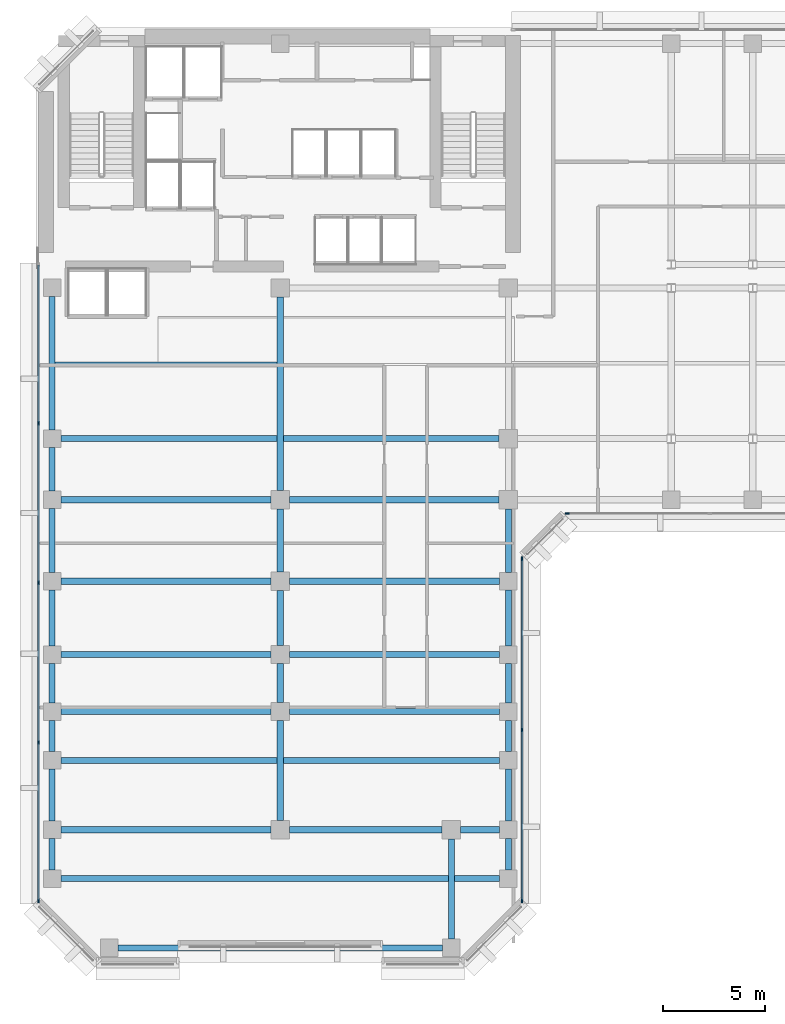
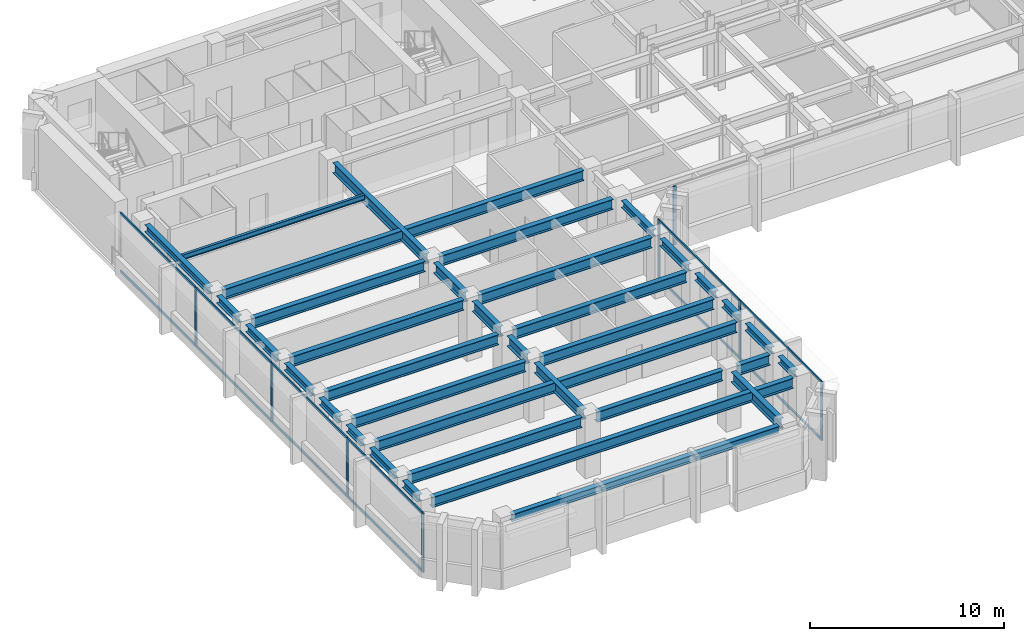
# One storey, part 2 of 11: 36 beams, 20 members, 3 elements without a shape of their own.
"""IFC4 building model written with IfcOpenShell, lengths in metres."""

from ifc_helpers import new_model, si_unit, direction, frame, origin, origin_2d, place, context, subcontext, project, spatial, rectangle, i_section, extrude, material, layer, layer_set, material_profile, profile_set, type_object, element, aggregate, save


model = new_model("IFC4")

# Units and contexts
model_context = context("Model", 3, precision=1e-05, world=origin(), true_north=direction((0.0, 1.0)))
body_context = subcontext(model_context, "Body", "Model", "MODEL_VIEW")
ifc_project = project(units=[si_unit("LENGTHUNIT", "METRE"), si_unit("AREAUNIT", "SQUARE_METRE"), si_unit("VOLUMEUNIT", "CUBIC_METRE"), si_unit("PLANEANGLEUNIT", "RADIAN"), si_unit("MASSUNIT", "GRAM", prefix="KILO")], contexts=[model_context])

# Site, building, storey
site_placement = place(None, origin())
site = spatial("IfcSite", under=ifc_project, at=site_placement, CompositionType="ELEMENT")
building_placement = place(site_placement, origin())
building = spatial("IfcBuilding", under=site, at=building_placement, Name="Kefirva Bronze Tower", CompositionType="ELEMENT")
storey_placement = place(building_placement, frame((0.0, 0.0, 183.47998046875)))
storey = spatial("IfcBuildingStorey", under=building, at=storey_placement, Name="L44", CompositionType="ELEMENT", Elevation=183.47998046875)

# Curtain wall, members
ifc_material_1 = material(Name="Bronze anodised aluminium", Category="aluminium")
ifc_layer = layer(ifc_material_1, 0.199951171875, Name="Bronze anodised aluminium")
ifc_layer_set = layer_set([ifc_layer], Name="Bronze anodised aluminium")
curtain_wall_type = type_object("IfcCurtainWallType", Name="Unitised Bronze Ribbon Curtain Wall Zone 2", PredefinedType="USERDEFINED", material=ifc_layer_set)
curtain_wall_1_placement = place(storey_placement, origin())
curtain_wall_1 = element("IfcCurtainWall", 1, at=curtain_wall_1_placement, inside=storey, type_object=curtain_wall_type, Name="L44 Curtain Wall 1", ObjectType="UNITISED CURTAIN WALL", PredefinedType="USERDEFINED")
ifc_material_profile_1 = material_profile(ifc_material_1, rectangle(XDim=0.074951171875, YDim=0.179931640625, at=origin_2d()), Name="ALU 75x180")
ifc_profile_set_1 = profile_set([ifc_material_profile_1], Name="Bronze anodised aluminium")
member_type_1 = type_object("IfcMemberType", Name="Bronze Mullion 75x180", PredefinedType="MULLION", material=ifc_profile_set_1)
member_1_placement = place(storey_placement, frame((23.8798828125, 3.092529296875, 0.0), z_axis=(0.0, 0.0, 1.0), x_axis=(-1.0, 0.0, 0.0)))
member_1 = element("IfcMember", 2, at=member_1_placement, type_object=member_type_1, Name="CW-02 mullion 1", PredefinedType="MULLION", context=body_context, shape_type="SweptSolid", body=[
    extrude(rectangle(XDim=0.074951171875, YDim=0.179931640625, at=origin_2d()), origin(), (0.0, 0.0, 1.0), 3.7099609375),
])
member_2_placement = place(storey_placement, frame((23.8798828125, 11.5, 0.0), z_axis=(0.0, 0.0, 1.0), x_axis=(-1.0, 0.0, 0.0)))
member_2 = element("IfcMember", 3, at=member_2_placement, type_object=member_type_1, Name="CW-02 mullion 2", PredefinedType="MULLION", context=body_context, shape_type="SweptSolid", body=[
    extrude(rectangle(XDim=0.074951171875, YDim=0.179931640625, at=origin_2d()), origin(), (0.0, 0.0, 1.0), 3.7099609375),
])
member_3_placement = place(storey_placement, frame((23.8798828125, 19.907470703125, 0.0), z_axis=(0.0, 0.0, 1.0), x_axis=(-1.0, 0.0, 0.0)))
member_3 = element("IfcMember", 4, at=member_3_placement, type_object=member_type_1, Name="CW-02 mullion 3", PredefinedType="MULLION", context=body_context, shape_type="SweptSolid", body=[
    extrude(rectangle(XDim=0.074951171875, YDim=0.179931640625, at=origin_2d()), origin(), (0.0, 0.0, 1.0), 3.7099609375),
])

# Curtain wall, member
curtain_wall_2_placement = place(storey_placement, origin())
curtain_wall_2 = element("IfcCurtainWall", 5, at=curtain_wall_2_placement, inside=storey, type_object=curtain_wall_type, Name="L44 Curtain Wall 2", ObjectType="UNITISED CURTAIN WALL", PredefinedType="USERDEFINED")
member_4_placement = place(storey_placement, frame((26.092529296875, 22.1201171875, 0.0), z_axis=(0.0, 0.0, 1.0), x_axis=(0.0, 1.0, 0.0)))
member_4 = element("IfcMember", 6, at=member_4_placement, type_object=member_type_1, Name="CW-02 mullion 1", PredefinedType="MULLION", context=body_context, shape_type="SweptSolid", body=[
    extrude(rectangle(XDim=0.074951171875, YDim=0.179931640625, at=origin_2d()), origin(), (0.0, 0.0, 1.0), 3.7099609375),
])
aggregate(curtain_wall_2, [member_4])

# Curtain wall, members
curtain_wall_3_placement = place(storey_placement, origin())
curtain_wall_3 = element("IfcCurtainWall", 7, at=curtain_wall_3_placement, inside=storey, type_object=curtain_wall_type, Name="L44 Curtain Wall 5", ObjectType="UNITISED CURTAIN WALL", PredefinedType="USERDEFINED")
member_5_placement = place(storey_placement, frame((0.1201171875, 26.56005859375, 0.0), z_axis=(0.0, 0.0, 1.0), x_axis=(1.0, 0.0, 0.0)))
member_5 = element("IfcMember", 8, at=member_5_placement, type_object=member_type_1, Name="CW-02 mullion 2", PredefinedType="MULLION", context=body_context, shape_type="SweptSolid", body=[
    extrude(rectangle(XDim=0.074951171875, YDim=0.179931640625, at=origin_2d()), origin(), (0.0, 0.0, 1.0), 3.7099609375),
])
member_6_placement = place(storey_placement, frame((0.1201171875, 18.72509765625, 0.0), z_axis=(0.0, 0.0, 1.0), x_axis=(1.0, 0.0, 0.0)))
member_6 = element("IfcMember", 9, at=member_6_placement, type_object=member_type_1, Name="CW-02 mullion 3", PredefinedType="MULLION", context=body_context, shape_type="SweptSolid", body=[
    extrude(rectangle(XDim=0.074951171875, YDim=0.179931640625, at=origin_2d()), origin(), (0.0, 0.0, 1.0), 3.7099609375),
])
member_7_placement = place(storey_placement, frame((0.1201171875, 10.889892578125, 0.0), z_axis=(0.0, 0.0, 1.0), x_axis=(1.0, 0.0, 0.0)))
member_7 = element("IfcMember", 10, at=member_7_placement, type_object=member_type_1, Name="CW-02 mullion 4", PredefinedType="MULLION", context=body_context, shape_type="SweptSolid", body=[
    extrude(rectangle(XDim=0.074951171875, YDim=0.179931640625, at=origin_2d()), origin(), (0.0, 0.0, 1.0), 3.7099609375),
])
member_8_placement = place(storey_placement, frame((0.1201171875, 3.092529296875, 0.0), z_axis=(0.0, 0.0, 1.0), x_axis=(1.0, 0.0, 0.0)))
member_8 = element("IfcMember", 11, at=member_8_placement, type_object=member_type_1, Name="CW-02 mullion 5", PredefinedType="MULLION", context=body_context, shape_type="SweptSolid", body=[
    extrude(rectangle(XDim=0.074951171875, YDim=0.179931640625, at=origin_2d()), origin(), (0.0, 0.0, 1.0), 3.7099609375),
])

# Member
ifc_material_profile_2 = material_profile(ifc_material_1, rectangle(XDim=0.074951171875, YDim=0.14990234375, at=origin_2d()), Name="ALU 75x150")
ifc_profile_set_2 = profile_set([ifc_material_profile_2], Name="Bronze anodised aluminium")
member_type_2 = type_object("IfcMemberType", Name="Bronze Transom 75x150", PredefinedType="USERDEFINED", material=ifc_profile_set_2)
member_9_placement = place(storey_placement, frame((23.8798828125, 3.1298828125, 0.03759765625), z_axis=(0.0, 1.0, 0.0), x_axis=(-1.0, 0.0, 0.0)))
member_9 = element("IfcMember", 12, at=member_9_placement, type_object=member_type_2, Name="CW-02 transom 1.1", ObjectType="TRANSOM", PredefinedType="USERDEFINED", context=body_context, shape_type="SweptSolid", body=[
    extrude(rectangle(XDim=0.074951171875, YDim=0.14990234375, at=origin_2d()), origin(), (0.0, 0.0, 1.0), 8.33251953125),
])

member_10_placement = place(storey_placement, frame((23.8798828125, 3.1298828125, 3.672607421875), z_axis=(0.0, 1.0, 0.0), x_axis=(-1.0, 0.0, 0.0)))
member_10 = element("IfcMember", 13, at=member_10_placement, type_object=member_type_2, Name="CW-02 transom 1.2", ObjectType="TRANSOM", PredefinedType="USERDEFINED", context=body_context, shape_type="SweptSolid", body=[
    extrude(rectangle(XDim=0.074951171875, YDim=0.14990234375, at=origin_2d()), origin(), (0.0, 0.0, 1.0), 8.33251953125),
])

member_11_placement = place(storey_placement, frame((23.8798828125, 11.53759765625, 0.03759765625), z_axis=(0.0, 1.0, 0.0), x_axis=(-1.0, 0.0, 0.0)))
member_11 = element("IfcMember", 14, at=member_11_placement, type_object=member_type_2, Name="CW-02 transom 2.1", ObjectType="TRANSOM", PredefinedType="USERDEFINED", context=body_context, shape_type="SweptSolid", body=[
    extrude(rectangle(XDim=0.074951171875, YDim=0.14990234375, at=origin_2d()), origin(), (0.0, 0.0, 1.0), 8.33251953125),
])

member_12_placement = place(storey_placement, frame((23.8798828125, 11.53759765625, 3.672607421875), z_axis=(0.0, 1.0, 0.0), x_axis=(-1.0, 0.0, 0.0)))
member_12 = element("IfcMember", 15, at=member_12_placement, type_object=member_type_2, Name="CW-02 transom 2.2", ObjectType="TRANSOM", PredefinedType="USERDEFINED", context=body_context, shape_type="SweptSolid", body=[
    extrude(rectangle(XDim=0.074951171875, YDim=0.14990234375, at=origin_2d()), origin(), (0.0, 0.0, 1.0), 8.33251953125),
])

aggregate(curtain_wall_1, [member_1, member_2, member_3, member_9, member_10, member_11, member_12])

member_13_placement = place(storey_placement, frame((0.1201171875, 34.320068359375, 0.03759765625), z_axis=(0.0, -1.0, 0.0), x_axis=(1.0, 0.0, 0.0)))
member_13 = element("IfcMember", 16, at=member_13_placement, type_object=member_type_2, Name="CW-02 transom 1.1", ObjectType="TRANSOM", PredefinedType="USERDEFINED", context=body_context, shape_type="SweptSolid", body=[
    extrude(rectangle(XDim=0.074951171875, YDim=0.14990234375, at=origin_2d()), origin(), (0.0, 0.0, 1.0), 7.72265625),
])

member_14_placement = place(storey_placement, frame((0.1201171875, 34.320068359375, 3.672607421875), z_axis=(0.0, -1.0, 0.0), x_axis=(1.0, 0.0, 0.0)))
member_14 = element("IfcMember", 17, at=member_14_placement, type_object=member_type_2, Name="CW-02 transom 1.2", ObjectType="TRANSOM", PredefinedType="USERDEFINED", context=body_context, shape_type="SweptSolid", body=[
    extrude(rectangle(XDim=0.074951171875, YDim=0.14990234375, at=origin_2d()), origin(), (0.0, 0.0, 1.0), 7.72265625),
])

member_15_placement = place(storey_placement, frame((0.1201171875, 26.5224609375, 0.03759765625), z_axis=(0.0, -1.0, 0.0), x_axis=(1.0, 0.0, 0.0)))
member_15 = element("IfcMember", 18, at=member_15_placement, type_object=member_type_2, Name="CW-02 transom 2.1", ObjectType="TRANSOM", PredefinedType="USERDEFINED", context=body_context, shape_type="SweptSolid", body=[
    extrude(rectangle(XDim=0.074951171875, YDim=0.14990234375, at=origin_2d()), origin(), (0.0, 0.0, 1.0), 7.760009765625),
])

member_16_placement = place(storey_placement, frame((0.1201171875, 26.5224609375, 3.672607421875), z_axis=(0.0, -1.0, 0.0), x_axis=(1.0, 0.0, 0.0)))
member_16 = element("IfcMember", 19, at=member_16_placement, type_object=member_type_2, Name="CW-02 transom 2.2", ObjectType="TRANSOM", PredefinedType="USERDEFINED", context=body_context, shape_type="SweptSolid", body=[
    extrude(rectangle(XDim=0.074951171875, YDim=0.14990234375, at=origin_2d()), origin(), (0.0, 0.0, 1.0), 7.760009765625),
])

member_17_placement = place(storey_placement, frame((0.1201171875, 18.6875, 0.03759765625), z_axis=(0.0, -1.0, 0.0), x_axis=(1.0, 0.0, 0.0)))
member_17 = element("IfcMember", 20, at=member_17_placement, type_object=member_type_2, Name="CW-02 transom 3.1", ObjectType="TRANSOM", PredefinedType="USERDEFINED", context=body_context, shape_type="SweptSolid", body=[
    extrude(rectangle(XDim=0.074951171875, YDim=0.14990234375, at=origin_2d()), origin(), (0.0, 0.0, 1.0), 7.760009765625),
])

member_18_placement = place(storey_placement, frame((0.1201171875, 18.6875, 3.672607421875), z_axis=(0.0, -1.0, 0.0), x_axis=(1.0, 0.0, 0.0)))
member_18 = element("IfcMember", 21, at=member_18_placement, type_object=member_type_2, Name="CW-02 transom 3.2", ObjectType="TRANSOM", PredefinedType="USERDEFINED", context=body_context, shape_type="SweptSolid", body=[
    extrude(rectangle(XDim=0.074951171875, YDim=0.14990234375, at=origin_2d()), origin(), (0.0, 0.0, 1.0), 7.760009765625),
])

member_19_placement = place(storey_placement, frame((0.1201171875, 10.8525390625, 0.03759765625), z_axis=(0.0, -1.0, 0.0), x_axis=(1.0, 0.0, 0.0)))
member_19 = element("IfcMember", 22, at=member_19_placement, type_object=member_type_2, Name="CW-02 transom 4.1", ObjectType="TRANSOM", PredefinedType="USERDEFINED", context=body_context, shape_type="SweptSolid", body=[
    extrude(rectangle(XDim=0.074951171875, YDim=0.14990234375, at=origin_2d()), origin(), (0.0, 0.0, 1.0), 7.72265625),
])

member_20_placement = place(storey_placement, frame((0.1201171875, 10.8525390625, 3.672607421875), z_axis=(0.0, -1.0, 0.0), x_axis=(1.0, 0.0, 0.0)))
member_20 = element("IfcMember", 23, at=member_20_placement, type_object=member_type_2, Name="CW-02 transom 4.2", ObjectType="TRANSOM", PredefinedType="USERDEFINED", context=body_context, shape_type="SweptSolid", body=[
    extrude(rectangle(XDim=0.074951171875, YDim=0.14990234375, at=origin_2d()), origin(), (0.0, 0.0, 1.0), 7.72265625),
])

aggregate(curtain_wall_3, [member_5, member_6, member_7, member_8, member_13, member_14, member_15, member_16, member_17, member_18, member_19, member_20])

# Beams
ifc_material_2 = material(Name="Steel S355", Category="steel")
ifc_material_profile_3 = material_profile(ifc_material_2, i_section(OverallWidth=0.159912109375, OverallDepth=0.330078125, WebThickness=0.007568359375, FlangeThickness=0.011474609375, at=origin_2d()), Name="IPE 330")
ifc_profile_set_3 = profile_set([ifc_material_profile_3], Name="Steel S355")
beam_type_1 = type_object("IfcBeamType", Name="Steel Floor Joist IPE 330", PredefinedType="JOIST", material=ifc_profile_set_3)
beam_1_placement = place(storey_placement, frame((0.949951171875, 29.489990234375, 3.544921875), z_axis=(1.0, 0.0, 0.0), x_axis=(0.0, 1.0, 0.0)))
element("IfcBeam", 24, at=beam_1_placement, inside=storey, type_object=beam_type_1, Name="L44 JST-L44-0-294", PredefinedType="JOIST", context=body_context, shape_type="SweptSolid", body=[
    extrude(i_section(OverallWidth=0.159912109375, OverallDepth=0.330078125, WebThickness=0.007568359375, FlangeThickness=0.011474609375, at=origin_2d()), origin(), (0.0, 0.0, 1.0), 10.900146484375),
])
ifc_material_profile_4 = material_profile(ifc_material_2, i_section(OverallWidth=0.300048828125, OverallDepth=0.64990234375, WebThickness=0.01611328125, FlangeThickness=0.031005859375, at=origin_2d()), Name="HEB 650")
ifc_profile_set_4 = profile_set([ifc_material_profile_4], Name="Steel S355")
beam_type_2 = type_object("IfcBeamType", Name="Steel Girder HEB 650", PredefinedType="USERDEFINED", material=ifc_profile_set_4)
beam_2_placement = place(storey_placement, frame((1.22998046875, 4.199951171875, 3.385009765625), z_axis=(1.0, 0.0, 0.0), x_axis=(0.0, 1.0, 0.0)))
element("IfcBeam", 25, at=beam_2_placement, inside=storey, type_object=beam_type_2, Name="L44 BM-L44-EW-0-42", ObjectType="GIRDER", PredefinedType="USERDEFINED", context=body_context, shape_type="SweptSolid", body=[
    extrude(i_section(OverallWidth=0.300048828125, OverallDepth=0.64990234375, WebThickness=0.01611328125, FlangeThickness=0.031005859375, at=origin_2d()), origin(), (0.0, 0.0, 1.0), 21.5400390625),
])
beam_3_placement = place(storey_placement, frame((1.22998046875, 6.60009765625, 3.385009765625), z_axis=(1.0, 0.0, 0.0), x_axis=(0.0, 1.0, 0.0)))
element("IfcBeam", 26, at=beam_3_placement, inside=storey, type_object=beam_type_2, Name="L44 BM-L44-EW-0-66", ObjectType="GIRDER", PredefinedType="USERDEFINED", context=body_context, shape_type="SweptSolid", body=[
    extrude(i_section(OverallWidth=0.300048828125, OverallDepth=0.64990234375, WebThickness=0.01611328125, FlangeThickness=0.031005859375, at=origin_2d()), origin(), (0.0, 0.0, 1.0), 10.320068359375),
])
beam_4_placement = place(storey_placement, frame((12.449951171875, 6.60009765625, 3.385009765625), z_axis=(1.0, 0.0, 0.0), x_axis=(0.0, 1.0, 0.0)))
element("IfcBeam", 27, at=beam_4_placement, inside=storey, type_object=beam_type_2, Name="L44 BM-L44-EW-12-66", ObjectType="GIRDER", PredefinedType="USERDEFINED", context=body_context, shape_type="SweptSolid", body=[
    extrude(i_section(OverallWidth=0.300048828125, OverallDepth=0.64990234375, WebThickness=0.01611328125, FlangeThickness=0.031005859375, at=origin_2d()), origin(), (0.0, 0.0, 1.0), 7.5),
])
beam_5_placement = place(storey_placement, frame((20.85009765625, 6.60009765625, 3.385009765625), z_axis=(1.0, 0.0, 0.0), x_axis=(0.0, 1.0, 0.0)))
element("IfcBeam", 28, at=beam_5_placement, inside=storey, type_object=beam_type_2, Name="L44 BM-L44-EW-20-66", ObjectType="GIRDER", PredefinedType="USERDEFINED", context=body_context, shape_type="SweptSolid", body=[
    extrude(i_section(OverallWidth=0.300048828125, OverallDepth=0.64990234375, WebThickness=0.01611328125, FlangeThickness=0.031005859375, at=origin_2d()), origin(), (0.0, 0.0, 1.0), 1.919921875),
])
beam_6_placement = place(storey_placement, frame((1.22998046875, 10.0, 3.385009765625), z_axis=(1.0, 0.0, 0.0), x_axis=(0.0, 1.0, 0.0)))
element("IfcBeam", 29, at=beam_6_placement, inside=storey, type_object=beam_type_2, Name="L44 BM-L44-EW-0-100", ObjectType="GIRDER", PredefinedType="USERDEFINED", context=body_context, shape_type="SweptSolid", body=[
    extrude(i_section(OverallWidth=0.300048828125, OverallDepth=0.64990234375, WebThickness=0.01611328125, FlangeThickness=0.031005859375, at=origin_2d()), origin(), (0.0, 0.0, 1.0), 21.5400390625),
])
for number, where, z_axis, x_axis, name in (
    (30, (1.22998046875, 12.39990234375, 3.385009765625), (1.0, 0.0, 0.0), (0.0, 1.0, 0.0), "L44 BM-L44-EW-0-124"),
    (31, (12.449951171875, 12.39990234375, 3.385009765625), (1.0, 0.0, 0.0), (0.0, 1.0, 0.0), "L44 BM-L44-EW-12-124"),
    (32, (1.22998046875, 15.199951171875, 3.385009765625), (1.0, 0.0, 0.0), (0.0, 1.0, 0.0), "L44 BM-L44-EW-0-152"),
    (33, (12.449951171875, 15.199951171875, 3.385009765625), (1.0, 0.0, 0.0), (0.0, 1.0, 0.0), "L44 BM-L44-EW-12-152"),
    (34, (1.22998046875, 18.800048828125, 3.385009765625), (1.0, 0.0, 0.0), (0.0, 1.0, 0.0), "L44 BM-L44-EW-0-188"),
    (35, (12.449951171875, 18.800048828125, 3.385009765625), (1.0, 0.0, 0.0), (0.0, 1.0, 0.0), "L44 BM-L44-EW-12-188"),
    (36, (1.22998046875, 22.800048828125, 3.385009765625), (1.0, 0.0, 0.0), (0.0, 1.0, 0.0), "L44 BM-L44-EW-0-228"),
):
    element("IfcBeam", number, at=place(storey_placement, frame(where, z_axis=z_axis, x_axis=x_axis)), inside=storey, type_object=beam_type_2, Name=name, ObjectType="GIRDER", PredefinedType="USERDEFINED", context=body_context, shape_type="SweptSolid", body=[
        extrude(i_section(OverallWidth=0.300048828125, OverallDepth=0.64990234375, WebThickness=0.01611328125, FlangeThickness=0.031005859375, at=origin_2d()), origin(), (0.0, 0.0, 1.0), 10.320068359375),
    ])
beam_7_placement = place(storey_placement, frame((12.449951171875, 22.800048828125, 3.385009765625), z_axis=(1.0, 0.0, 0.0), x_axis=(0.0, 1.0, 0.0)))
element("IfcBeam", 37, at=beam_7_placement, inside=storey, type_object=beam_type_2, Name="L44 BM-L44-EW-12-228", ObjectType="GIRDER", PredefinedType="USERDEFINED", context=body_context, shape_type="SweptSolid", body=[
    extrude(i_section(OverallWidth=0.300048828125, OverallDepth=0.64990234375, WebThickness=0.01611328125, FlangeThickness=0.031005859375, at=origin_2d()), origin(), (0.0, 0.0, 1.0), 10.300048828125),
])
beam_8_placement = place(storey_placement, frame((1.22998046875, 25.800048828125, 3.385009765625), z_axis=(1.0, 0.0, 0.0), x_axis=(0.0, 1.0, 0.0)))
element("IfcBeam", 38, at=beam_8_placement, inside=storey, type_object=beam_type_2, Name="L44 BM-L44-EW-0-258", ObjectType="GIRDER", PredefinedType="USERDEFINED", context=body_context, shape_type="SweptSolid", body=[
    extrude(i_section(OverallWidth=0.300048828125, OverallDepth=0.64990234375, WebThickness=0.01611328125, FlangeThickness=0.031005859375, at=origin_2d()), origin(), (0.0, 0.0, 1.0), 21.52001953125),
])
beam_9_placement = place(storey_placement, frame((12.0, 7.050048828125, 3.385009765625), z_axis=(0.0, 1.0, 0.0), x_axis=(-1.0, 0.0, 0.0)))
element("IfcBeam", 39, at=beam_9_placement, inside=storey, type_object=beam_type_2, Name="L44 BM-L44-NS-120-6", ObjectType="GIRDER", PredefinedType="USERDEFINED", context=body_context, shape_type="SweptSolid", body=[
    extrude(i_section(OverallWidth=0.300048828125, OverallDepth=0.64990234375, WebThickness=0.01611328125, FlangeThickness=0.031005859375, at=origin_2d()), origin(), (0.0, 0.0, 1.0), 4.89990234375),
])
beam_10_placement = place(storey_placement, frame((12.0, 12.85009765625, 3.385009765625), z_axis=(0.0, 1.0, 0.0), x_axis=(-1.0, 0.0, 0.0)))
element("IfcBeam", 40, at=beam_10_placement, inside=storey, type_object=beam_type_2, Name="L44 BM-L44-NS-120-12", ObjectType="GIRDER", PredefinedType="USERDEFINED", context=body_context, shape_type="SweptSolid", body=[
    extrude(i_section(OverallWidth=0.300048828125, OverallDepth=0.64990234375, WebThickness=0.01611328125, FlangeThickness=0.031005859375, at=origin_2d()), origin(), (0.0, 0.0, 1.0), 1.89990234375),
])
beam_11_placement = place(storey_placement, frame((12.0, 15.64990234375, 3.385009765625), z_axis=(0.0, 1.0, 0.0), x_axis=(-1.0, 0.0, 0.0)))
element("IfcBeam", 41, at=beam_11_placement, inside=storey, type_object=beam_type_2, Name="L44 BM-L44-NS-120-15", ObjectType="GIRDER", PredefinedType="USERDEFINED", context=body_context, shape_type="SweptSolid", body=[
    extrude(i_section(OverallWidth=0.300048828125, OverallDepth=0.64990234375, WebThickness=0.01611328125, FlangeThickness=0.031005859375, at=origin_2d()), origin(), (0.0, 0.0, 1.0), 2.7001953125),
])
beam_12_placement = place(storey_placement, frame((12.0, 19.25, 3.385009765625), z_axis=(0.0, 1.0, 0.0), x_axis=(-1.0, 0.0, 0.0)))
element("IfcBeam", 42, at=beam_12_placement, inside=storey, type_object=beam_type_2, Name="L44 BM-L44-NS-120-18", ObjectType="GIRDER", PredefinedType="USERDEFINED", context=body_context, shape_type="SweptSolid", body=[
    extrude(i_section(OverallWidth=0.300048828125, OverallDepth=0.64990234375, WebThickness=0.01611328125, FlangeThickness=0.031005859375, at=origin_2d()), origin(), (0.0, 0.0, 1.0), 3.10009765625),
])
beam_13_placement = place(storey_placement, frame((12.0, 23.25, 3.385009765625), z_axis=(0.0, 1.0, 0.0), x_axis=(-1.0, 0.0, 0.0)))
element("IfcBeam", 43, at=beam_13_placement, inside=storey, type_object=beam_type_2, Name="L44 BM-L44-NS-120-22", ObjectType="GIRDER", PredefinedType="USERDEFINED", context=body_context, shape_type="SweptSolid", body=[
    extrude(i_section(OverallWidth=0.300048828125, OverallDepth=0.64990234375, WebThickness=0.01611328125, FlangeThickness=0.031005859375, at=origin_2d()), origin(), (0.0, 0.0, 1.0), 9.5),
])
beam_14_placement = place(storey_placement, frame((20.39990234375, 1.22998046875, 3.385009765625), z_axis=(0.0, 1.0, 0.0), x_axis=(-1.0, 0.0, 0.0)))
element("IfcBeam", 44, at=beam_14_placement, inside=storey, type_object=beam_type_2, Name="L44 BM-L44-NS-204-0", ObjectType="GIRDER", PredefinedType="USERDEFINED", context=body_context, shape_type="SweptSolid", body=[
    extrude(i_section(OverallWidth=0.300048828125, OverallDepth=0.64990234375, WebThickness=0.01611328125, FlangeThickness=0.031005859375, at=origin_2d()), origin(), (0.0, 0.0, 1.0), 4.919921875),
])
ifc_material_profile_5 = material_profile(ifc_material_2, i_section(OverallWidth=0.300048828125, OverallDepth=0.449951171875, WebThickness=0.013916015625, FlangeThickness=0.02587890625, at=origin_2d()), Name="HEB 450")
ifc_profile_set_5 = profile_set([ifc_material_profile_5], Name="Steel S355")
beam_type_3 = type_object("IfcBeamType", Name="Steel Spandrel HEB 450 Ext", PredefinedType="SPANDREL", material=ifc_profile_set_5)
beam_15_placement = place(storey_placement, frame((4.030029296875, 0.800048828125, 3.485107421875), z_axis=(1.0, 0.0, 0.0), x_axis=(0.0, 1.0, 0.0)))
element("IfcBeam", 45, at=beam_15_placement, inside=storey, type_object=beam_type_3, Name="L44 BM-L44-EW-3-8", PredefinedType="SPANDREL", context=body_context, shape_type="SweptSolid", body=[
    extrude(i_section(OverallWidth=0.300048828125, OverallDepth=0.449951171875, WebThickness=0.013916015625, FlangeThickness=0.02587890625, at=origin_2d()), origin(), (0.0, 0.0, 1.0), 15.93994140625),
])
beam_16_placement = place(storey_placement, frame((0.800048828125, 4.6298828125, 3.485107421875), z_axis=(0.0, 1.0, 0.0), x_axis=(-1.0, 0.0, 0.0)))
element("IfcBeam", 46, at=beam_16_placement, inside=storey, type_object=beam_type_3, Name="L44 BM-L44-NS-8-4", PredefinedType="SPANDREL", context=body_context, shape_type="SweptSolid", body=[
    extrude(i_section(OverallWidth=0.300048828125, OverallDepth=0.449951171875, WebThickness=0.013916015625, FlangeThickness=0.02587890625, at=origin_2d()), origin(), (0.0, 0.0, 1.0), 1.5400390625),
])
beam_17_placement = place(storey_placement, frame((0.800048828125, 7.030029296875, 3.485107421875), z_axis=(0.0, 1.0, 0.0), x_axis=(-1.0, 0.0, 0.0)))
element("IfcBeam", 47, at=beam_17_placement, inside=storey, type_object=beam_type_3, Name="L44 BM-L44-NS-8-6", PredefinedType="SPANDREL", context=body_context, shape_type="SweptSolid", body=[
    extrude(i_section(OverallWidth=0.300048828125, OverallDepth=0.449951171875, WebThickness=0.013916015625, FlangeThickness=0.02587890625, at=origin_2d()), origin(), (0.0, 0.0, 1.0), 2.5400390625),
])
beam_18_placement = place(storey_placement, frame((0.800048828125, 10.429931640625, 3.485107421875), z_axis=(0.0, 1.0, 0.0), x_axis=(-1.0, 0.0, 0.0)))
element("IfcBeam", 48, at=beam_18_placement, inside=storey, type_object=beam_type_3, Name="L44 BM-L44-NS-8-10", PredefinedType="SPANDREL", context=body_context, shape_type="SweptSolid", body=[
    extrude(i_section(OverallWidth=0.300048828125, OverallDepth=0.449951171875, WebThickness=0.013916015625, FlangeThickness=0.02587890625, at=origin_2d()), origin(), (0.0, 0.0, 1.0), 1.5400390625),
])
beam_19_placement = place(storey_placement, frame((0.800048828125, 12.830078125, 3.485107421875), z_axis=(0.0, 1.0, 0.0), x_axis=(-1.0, 0.0, 0.0)))
element("IfcBeam", 49, at=beam_19_placement, inside=storey, type_object=beam_type_3, Name="L44 BM-L44-NS-8-12", PredefinedType="SPANDREL", context=body_context, shape_type="SweptSolid", body=[
    extrude(i_section(OverallWidth=0.300048828125, OverallDepth=0.449951171875, WebThickness=0.013916015625, FlangeThickness=0.02587890625, at=origin_2d()), origin(), (0.0, 0.0, 1.0), 1.93994140625),
])
beam_20_placement = place(storey_placement, frame((0.800048828125, 15.6298828125, 3.485107421875), z_axis=(0.0, 1.0, 0.0), x_axis=(-1.0, 0.0, 0.0)))
element("IfcBeam", 50, at=beam_20_placement, inside=storey, type_object=beam_type_3, Name="L44 BM-L44-NS-8-15", PredefinedType="SPANDREL", context=body_context, shape_type="SweptSolid", body=[
    extrude(i_section(OverallWidth=0.300048828125, OverallDepth=0.449951171875, WebThickness=0.013916015625, FlangeThickness=0.02587890625, at=origin_2d()), origin(), (0.0, 0.0, 1.0), 2.740234375),
])
beam_21_placement = place(storey_placement, frame((0.800048828125, 19.22998046875, 3.485107421875), z_axis=(0.0, 1.0, 0.0), x_axis=(-1.0, 0.0, 0.0)))
element("IfcBeam", 51, at=beam_21_placement, inside=storey, type_object=beam_type_3, Name="L44 BM-L44-NS-8-18", PredefinedType="SPANDREL", context=body_context, shape_type="SweptSolid", body=[
    extrude(i_section(OverallWidth=0.300048828125, OverallDepth=0.449951171875, WebThickness=0.013916015625, FlangeThickness=0.02587890625, at=origin_2d()), origin(), (0.0, 0.0, 1.0), 3.14013671875),
])
beam_22_placement = place(storey_placement, frame((0.800048828125, 23.22998046875, 3.485107421875), z_axis=(0.0, 1.0, 0.0), x_axis=(-1.0, 0.0, 0.0)))
element("IfcBeam", 52, at=beam_22_placement, inside=storey, type_object=beam_type_3, Name="L44 BM-L44-NS-8-22", PredefinedType="SPANDREL", context=body_context, shape_type="SweptSolid", body=[
    extrude(i_section(OverallWidth=0.300048828125, OverallDepth=0.449951171875, WebThickness=0.013916015625, FlangeThickness=0.02587890625, at=origin_2d()), origin(), (0.0, 0.0, 1.0), 2.14013671875),
])
beam_23_placement = place(storey_placement, frame((0.800048828125, 26.22998046875, 3.485107421875), z_axis=(0.0, 1.0, 0.0), x_axis=(-1.0, 0.0, 0.0)))
element("IfcBeam", 53, at=beam_23_placement, inside=storey, type_object=beam_type_3, Name="L44 BM-L44-NS-8-25", PredefinedType="SPANDREL", context=body_context, shape_type="SweptSolid", body=[
    extrude(i_section(OverallWidth=0.300048828125, OverallDepth=0.449951171875, WebThickness=0.013916015625, FlangeThickness=0.02587890625, at=origin_2d()), origin(), (0.0, 0.0, 1.0), 6.5400390625),
])
beam_24_placement = place(storey_placement, frame((23.199951171875, 4.6298828125, 3.485107421875), z_axis=(0.0, 1.0, 0.0), x_axis=(-1.0, 0.0, 0.0)))
element("IfcBeam", 54, at=beam_24_placement, inside=storey, type_object=beam_type_3, Name="L44 BM-L44-NS-232-4", PredefinedType="SPANDREL", context=body_context, shape_type="SweptSolid", body=[
    extrude(i_section(OverallWidth=0.300048828125, OverallDepth=0.449951171875, WebThickness=0.013916015625, FlangeThickness=0.02587890625, at=origin_2d()), origin(), (0.0, 0.0, 1.0), 1.5400390625),
])
beam_25_placement = place(storey_placement, frame((23.199951171875, 7.030029296875, 3.485107421875), z_axis=(0.0, 1.0, 0.0), x_axis=(-1.0, 0.0, 0.0)))
element("IfcBeam", 55, at=beam_25_placement, inside=storey, type_object=beam_type_3, Name="L44 BM-L44-NS-232-6", PredefinedType="SPANDREL", context=body_context, shape_type="SweptSolid", body=[
    extrude(i_section(OverallWidth=0.300048828125, OverallDepth=0.449951171875, WebThickness=0.013916015625, FlangeThickness=0.02587890625, at=origin_2d()), origin(), (0.0, 0.0, 1.0), 2.5400390625),
])
beam_26_placement = place(storey_placement, frame((23.199951171875, 10.429931640625, 3.485107421875), z_axis=(0.0, 1.0, 0.0), x_axis=(-1.0, 0.0, 0.0)))
element("IfcBeam", 56, at=beam_26_placement, inside=storey, type_object=beam_type_3, Name="L44 BM-L44-NS-232-10", PredefinedType="SPANDREL", context=body_context, shape_type="SweptSolid", body=[
    extrude(i_section(OverallWidth=0.300048828125, OverallDepth=0.449951171875, WebThickness=0.013916015625, FlangeThickness=0.02587890625, at=origin_2d()), origin(), (0.0, 0.0, 1.0), 1.5400390625),
])
beam_27_placement = place(storey_placement, frame((23.199951171875, 12.830078125, 3.485107421875), z_axis=(0.0, 1.0, 0.0), x_axis=(-1.0, 0.0, 0.0)))
element("IfcBeam", 57, at=beam_27_placement, inside=storey, type_object=beam_type_3, Name="L44 BM-L44-NS-232-12", PredefinedType="SPANDREL", context=body_context, shape_type="SweptSolid", body=[
    extrude(i_section(OverallWidth=0.300048828125, OverallDepth=0.449951171875, WebThickness=0.013916015625, FlangeThickness=0.02587890625, at=origin_2d()), origin(), (0.0, 0.0, 1.0), 1.93994140625),
])
beam_28_placement = place(storey_placement, frame((23.199951171875, 15.6298828125, 3.485107421875), z_axis=(0.0, 1.0, 0.0), x_axis=(-1.0, 0.0, 0.0)))
element("IfcBeam", 58, at=beam_28_placement, inside=storey, type_object=beam_type_3, Name="L44 BM-L44-NS-232-15", PredefinedType="SPANDREL", context=body_context, shape_type="SweptSolid", body=[
    extrude(i_section(OverallWidth=0.300048828125, OverallDepth=0.449951171875, WebThickness=0.013916015625, FlangeThickness=0.02587890625, at=origin_2d()), origin(), (0.0, 0.0, 1.0), 2.740234375),
])
beam_29_placement = place(storey_placement, frame((23.199951171875, 19.22998046875, 3.485107421875), z_axis=(0.0, 1.0, 0.0), x_axis=(-1.0, 0.0, 0.0)))
element("IfcBeam", 59, at=beam_29_placement, inside=storey, type_object=beam_type_3, Name="L44 BM-L44-NS-232-18", PredefinedType="SPANDREL", context=body_context, shape_type="SweptSolid", body=[
    extrude(i_section(OverallWidth=0.300048828125, OverallDepth=0.449951171875, WebThickness=0.013916015625, FlangeThickness=0.02587890625, at=origin_2d()), origin(), (0.0, 0.0, 1.0), 3.1201171875),
])

save(model, "model.ifc")
